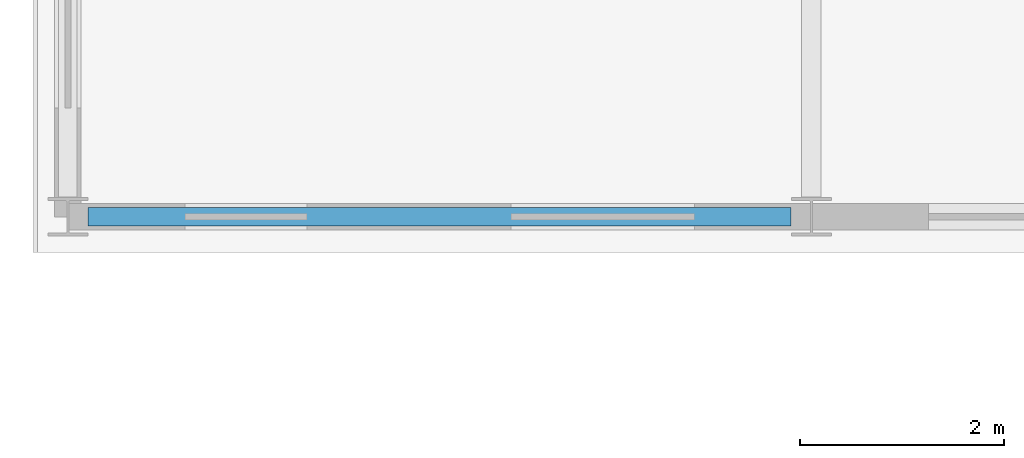
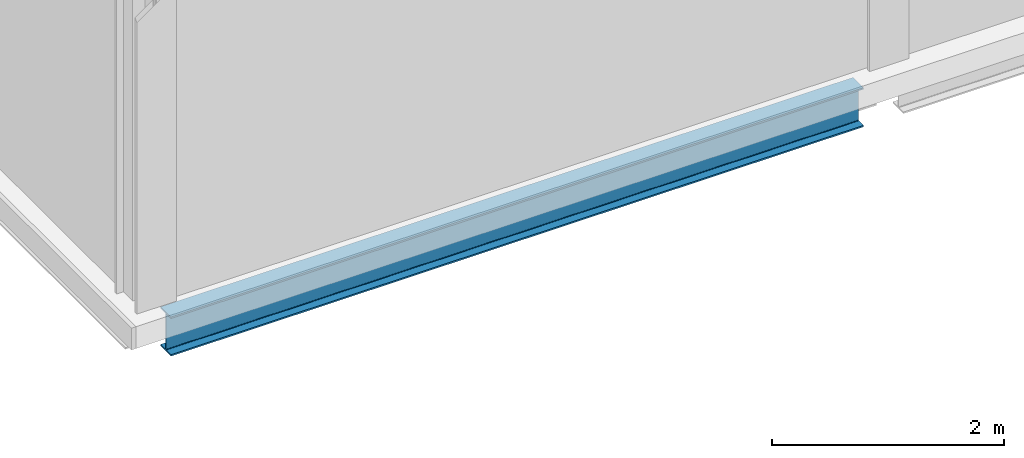
# One storey, part 16 of 60: 1 beam.
"""IFC4 building model written with IfcOpenShell, lengths in metres."""

from ifc_helpers import new_model, si_unit, direction, frame, origin, origin_2d, place, context, subcontext, project, spatial, i_section, extrude, material, material_profile, profile_set, type_object, element, save


model = new_model("IFC4")

# Units and contexts
model_context = context("Model", 3, precision=1e-05, world=origin(), true_north=direction((0.0, 1.0)))
body_context = subcontext(model_context, "Body", "Model", "MODEL_VIEW")
ifc_project = project(units=[si_unit("LENGTHUNIT", "METRE"), si_unit("AREAUNIT", "SQUARE_METRE"), si_unit("VOLUMEUNIT", "CUBIC_METRE"), si_unit("PLANEANGLEUNIT", "RADIAN"), si_unit("MASSUNIT", "GRAM", prefix="KILO")], contexts=[model_context])

# Site, building, storey
site_placement = place(None, origin())
site = spatial("IfcSite", under=ifc_project, at=site_placement, CompositionType="ELEMENT")
building_placement = place(site_placement, origin())
building = spatial("IfcBuilding", under=site, at=building_placement, Name="Quillay Park Conservatory", CompositionType="ELEMENT")
storey_placement = place(building_placement, frame((0.0, 0.0, 9.89990234375)))
storey = spatial("IfcBuildingStorey", under=building, at=storey_placement, Name="L02", CompositionType="ELEMENT", Elevation=9.89990234375)

# Beam
ifc_material = material(Name="Steel ASTM A992 Grade 50", Category="steel")
ifc_material_profile = material_profile(ifc_material, i_section(OverallWidth=0.179931640625, OverallDepth=0.4130859375, WebThickness=0.009765625, FlangeThickness=0.01611328125, FilletRadius=0.011962890625, at=origin_2d()), Name="W410x74")
ifc_profile_set = profile_set([ifc_material_profile], Name="Steel ASTM A992 Grade 50")
beam_type = type_object("IfcBeamType", Name="PERIMETER SPANDREL BEAM W410 X74", PredefinedType="SPANDREL", material=ifc_profile_set)
beam_placement = place(storey_placement, frame((0.74951171875, 63.050048828125, -0.4365234375), z_axis=(1.0, 0.0, 0.0), x_axis=(0.0, 1.0, 0.0)))
element("IfcBeam", 1, at=beam_placement, inside=storey, type_object=beam_type, Name="L02 beam BM-SP-0176", PredefinedType="SPANDREL", context=body_context, shape_type="SweptSolid", body=[
    extrude(i_section(OverallWidth=0.179931640625, OverallDepth=0.4130859375, WebThickness=0.009765625, FlangeThickness=0.01611328125, FilletRadius=0.011962890625, at=origin_2d()), origin(), (0.0, 0.0, 1.0), 6.90087890625),
])

save(model, "model.ifc")
